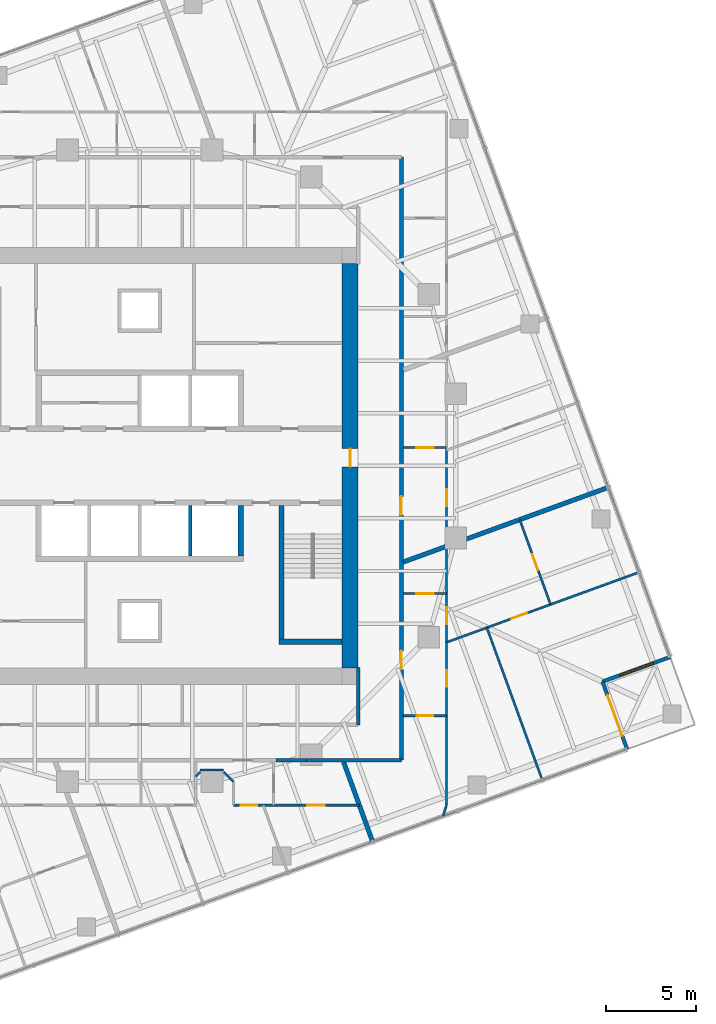
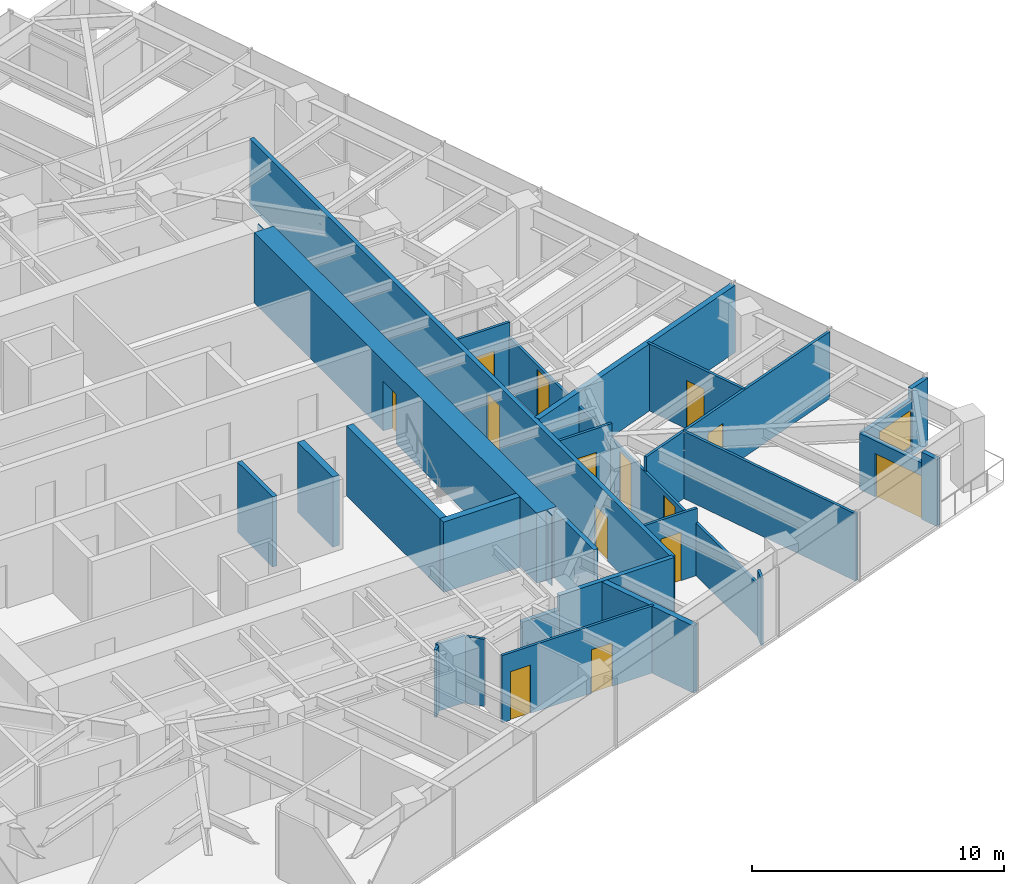
# One storey, part 9 of 13: 27 walls, 14 doors, 1 window, 15 openings.
"""IFC4 building model written with IfcOpenShell, lengths in metres."""

from ifc_helpers import new_model, si_unit, direction, frame, frame_2d, origin, place, context, subcontext, project, spatial, polyline, rectangle, outline, extrude, material, layer, layer_set, type_object, element, fill, save


model = new_model("IFC4")

# Units and contexts
model_context = context("Model", 3, precision=1e-05, world=origin(), true_north=direction((0.0, 1.0)))
body_context = subcontext(model_context, "Body", "Model", "MODEL_VIEW")
ifc_project = project(units=[si_unit("LENGTHUNIT", "METRE"), si_unit("AREAUNIT", "SQUARE_METRE"), si_unit("VOLUMEUNIT", "CUBIC_METRE"), si_unit("PLANEANGLEUNIT", "RADIAN"), si_unit("MASSUNIT", "GRAM", prefix="KILO")], contexts=[model_context])

# Site, building, storey
site_placement = place(None, origin())
site = spatial("IfcSite", under=ifc_project, at=site_placement, CompositionType="ELEMENT")
building_placement = place(site_placement, origin())
building = spatial("IfcBuilding", under=site, at=building_placement, Name="Torsade Residences", CompositionType="ELEMENT")
storey_placement = place(building_placement, frame((0.0, 0.0, 160.800048828125)))
storey = spatial("IfcBuildingStorey", under=building, at=storey_placement, Name="L44", CompositionType="ELEMENT", Elevation=160.800048828125)

# Walls
ifc_material_1 = material(Name="Concrete 80 MPa", Category="concrete")
ifc_layer_1 = layer(ifc_material_1, 0.300048828125)
ifc_layer_set_1 = layer_set([ifc_layer_1], Name="Concrete 80 MPa")
wall_type_1 = type_object("IfcWallType", Name="CORE INTERNAL WALL 300", PredefinedType="SHEAR", material=ifc_layer_set_1)
wall_1_placement = place(storey_placement, frame((45.60009765625, 27.800048828125, 0.0), z_axis=(0.0, 0.0, 1.0), x_axis=(0.0, -1.0, 0.0)))
element("IfcWall", 1, at=wall_1_placement, inside=storey, type_object=wall_type_1, Name="Core wall DS0 L44", PredefinedType="SHEAR", context=body_context, shape_type="SweptSolid", body=[
    extrude(rectangle(XDim=2.800048828125, YDim=0.300048828125, at=frame_2d((1.39990234375, 0.0))), origin(), (0.0, 0.0, 1.0), 3.39990234375),
])
wall_2_placement = place(storey_placement, frame((47.85009765625, 27.800048828125, 0.0), z_axis=(0.0, 0.0, 1.0), x_axis=(0.0, -1.0, 0.0)))
element("IfcWall", 2, at=wall_2_placement, inside=storey, type_object=wall_type_1, Name="Core wall ST2W L44", PredefinedType="SHEAR", context=body_context, shape_type="SweptSolid", body=[
    extrude(rectangle(XDim=7.699951171875, YDim=0.300048828125, at=frame_2d((3.85009765625, 0.0))), origin(), (0.0, 0.0, 1.0), 3.39990234375),
])
wall_3_placement = place(storey_placement, frame((51.199951171875, 20.25, 0.0), z_axis=(0.0, 0.0, 1.0), x_axis=(-1.0, 0.0, 0.0)))
element("IfcWall", 3, at=wall_3_placement, inside=storey, type_object=wall_type_1, Name="Core wall ST2S L44", PredefinedType="SHEAR", context=body_context, shape_type="SweptSolid", body=[
    extrude(rectangle(XDim=3.5, YDim=0.300048828125, at=frame_2d((1.75, 0.0))), origin(), (0.0, 0.0, 1.0), 3.39990234375),
])

# Wall, opening, door
ifc_material_2 = material(Name="Concrete 80 MPa", Category="concrete")
ifc_layer_2 = layer(ifc_material_2, 0.89990234375)
ifc_layer_set_2 = layer_set([ifc_layer_2], Name="Concrete 80 MPa")
wall_type_2 = type_object("IfcWallType", Name="CORE WALL 900", PredefinedType="SHEAR", material=ifc_layer_set_2)
wall_4_placement = place(storey_placement, frame((51.64990234375, 18.800048828125, 0.0), z_axis=(0.0, 0.0, 1.0), x_axis=(0.0, 1.0, 0.0)))
wall_4 = element("IfcWall", 4, at=wall_4_placement, inside=storey, type_object=wall_type_2, Name="Core wall E L44", PredefinedType="SHEAR", context=body_context, shape_type="SweptSolid", body=[
    extrude(outline(polyline([(0.0, -0.449951171875), (22.39990234375, -0.449951171875), (22.39990234375, -0.02490234375), (22.849853515625, -0.02490234375), (22.849853515625, 0.02490234375), (22.39990234375, 0.02490234375), (22.39990234375, 0.449951171875), (0.0, 0.449951171875), (0.0, 0.02490234375), (-0.449951171875, 0.02490234375), (-0.449951171875, -0.02490234375), (0.0, -0.02490234375), (0.0, -0.449951171875)])), origin(), (0.0, 0.0, 1.0), 3.39990234375),
])
opening_1_placement = place(wall_4_placement, frame((11.139892578125, 0.0, 0.0)))
opening_1 = element("IfcOpeningElement", 5, at=opening_1_placement, cuts=wall_4, Name="Opening D04", PredefinedType="OPENING", context=body_context, shape_type="SweptSolid", body=[
    extrude(rectangle(XDim=1.02001953125, YDim=2.39990234375, at=frame_2d((0.510009765625, 1.199951171875))), frame((0.0, 0.4599609375, 0.0), z_axis=(0.0, -1.0, 0.0), x_axis=(1.0, 0.0, 0.0)), (0.0, 0.0, 1.0), 0.919921875),
])
ifc_material_3 = material(Name="Steel-framed fire door", Category="steel")
door_type_1 = type_object("IfcDoorType", Name="LOBBY SMOKE DOOR 1020x2400", OperationType="NOTDEFINED", PredefinedType="DOOR", material=ifc_material_3)
door_1_placement = place(opening_1_placement, origin())
door_1 = element("IfcDoor", 6, at=door_1_placement, inside=storey, type_object=door_type_1, Name="Lift lobby door E L44", OperationType="SINGLE_SWING_LEFT", OverallHeight=2.39990234375, OverallWidth=1.02001953125, PredefinedType="DOOR", context=body_context, shape_type="SweptSolid", body=[
    extrude(rectangle(XDim=1.02001953125, YDim=2.39990234375, at=frame_2d((0.510009765625, 1.199951171875))), frame((0.0, 0.02490234375, 0.0), z_axis=(0.0, -1.0, 0.0), x_axis=(1.0, 0.0, 0.0)), (0.0, 0.0, 1.0), 0.050048828125),
])
fill(opening_1, door_1)

# Walls
ifc_material_4 = material(Name="Plasterboard on steel stud", Category="steel")
ifc_layer_3 = layer(ifc_material_4, 0.199951171875)
ifc_layer_set_3 = layer_set([ifc_layer_3], Name="Plasterboard on steel stud")
wall_type_3 = type_object("IfcWallType", Name="CORRIDOR WALL 200", PredefinedType="PARTITIONING", material=ifc_layer_set_3)
wall_5_placement = place(storey_placement, frame((47.558349609375, 13.699951171875, 0.0), z_axis=(0.0, 0.0, 1.0), x_axis=(1.0, 0.0, 0.0)))
element("IfcWall", 7, at=wall_5_placement, inside=storey, type_object=wall_type_3, Name="Corridor wall L44", PredefinedType="PARTITIONING", context=body_context, shape_type="SweptSolid", body=[
    extrude(rectangle(XDim=1.683349609375, YDim=0.199951171875, at=frame_2d((0.841796875, 0.0))), origin(), (0.0, 0.0, 1.0), 2.550048828125),
])
wall_6_placement = place(storey_placement, frame((49.24169921875, 13.699951171875, 0.0), z_axis=(0.0, 0.0, 1.0), x_axis=(1.0, 0.0, 0.0)))
element("IfcWall", 8, at=wall_6_placement, inside=storey, type_object=wall_type_3, Name="Corridor wall L44", PredefinedType="PARTITIONING", context=body_context, shape_type="SweptSolid", body=[
    extrude(rectangle(XDim=5.25830078125, YDim=0.199951171875, at=frame_2d((2.629150390625, 0.0))), origin(), (0.0, 0.0, 1.0), 3.25),
])

# Wall, openings, doors
wall_7_placement = place(storey_placement, frame((54.5, 13.699951171875, 0.0), z_axis=(0.0, 0.0, 1.0), x_axis=(0.0, 1.0, 0.0)))
wall_7 = element("IfcWall", 9, at=wall_7_placement, inside=storey, type_object=wall_type_3, Name="Corridor wall L44", PredefinedType="PARTITIONING", context=body_context, shape_type="SweptSolid", body=[
    extrude(rectangle(XDim=33.400146484375, YDim=0.199951171875, at=frame_2d((16.7001953125, 0.0))), origin(), (0.0, 0.0, 1.0), 3.25),
])
opening_2_placement = place(wall_7_placement, frame((5.02783203125, 0.0, 0.0)))
opening_2 = element("IfcOpeningElement", 10, at=opening_2_placement, cuts=wall_7, Name="Opening D01L", PredefinedType="OPENING", context=body_context, shape_type="SweptSolid", body=[
    extrude(rectangle(XDim=1.02001953125, YDim=2.10009765625, at=frame_2d((0.510009765625, 1.050048828125))), frame((0.0, 0.10986328125, 0.0), z_axis=(0.0, -1.0, 0.0), x_axis=(1.0, 0.0, 0.0)), (0.0, 0.0, 1.0), 0.219970703125),
])
opening_3_placement = place(wall_7_placement, frame((13.58740234375, 0.0, 0.0)))
opening_3 = element("IfcOpeningElement", 11, at=opening_3_placement, cuts=wall_7, Name="Opening D01", PredefinedType="OPENING", context=body_context, shape_type="SweptSolid", body=[
    extrude(rectangle(XDim=1.02001953125, YDim=2.340087890625, at=frame_2d((0.510009765625, 1.169921875))), frame((0.0, 0.10986328125, 0.0), z_axis=(0.0, -1.0, 0.0), x_axis=(1.0, 0.0, 0.0)), (0.0, 0.0, 1.0), 0.219970703125),
])
ifc_material_5 = material(Name="Solid-core timber fire door", Category="wood")
door_type_2 = type_object("IfcDoorType", Name="APARTMENT ENTRY DOOR 1020x2100", OperationType="NOTDEFINED", PredefinedType="DOOR", material=ifc_material_5)
door_2_placement = place(opening_2_placement, origin())
door_2 = element("IfcDoor", 12, at=door_2_placement, inside=storey, type_object=door_type_2, Name="Door Residential corridor to Kitchen and dining", OperationType="SINGLE_SWING_LEFT", OverallHeight=2.10009765625, OverallWidth=1.02001953125, PredefinedType="DOOR", context=body_context, shape_type="SweptSolid", body=[
    extrude(rectangle(XDim=1.02001953125, YDim=2.10009765625, at=frame_2d((0.510009765625, 1.050048828125))), frame((0.0, 0.02490234375, 0.0), z_axis=(0.0, -1.0, 0.0), x_axis=(1.0, 0.0, 0.0)), (0.0, 0.0, 1.0), 0.050048828125),
])
fill(opening_2, door_2)
ifc_material_6 = material(Name="Solid-core timber fire door", Category="wood")
door_type_3 = type_object("IfcDoorType", Name="APARTMENT ENTRY DOOR 1020x2340", OperationType="NOTDEFINED", PredefinedType="DOOR", material=ifc_material_6)
door_3_placement = place(opening_3_placement, origin())
door_3 = element("IfcDoor", 13, at=door_3_placement, inside=storey, type_object=door_type_3, Name="Door Residential corridor to Kitchen and dining", OperationType="SINGLE_SWING_RIGHT", OverallHeight=2.340087890625, OverallWidth=1.02001953125, PredefinedType="DOOR", context=body_context, shape_type="SweptSolid", body=[
    extrude(rectangle(XDim=1.02001953125, YDim=2.340087890625, at=frame_2d((0.510009765625, 1.169921875))), frame((0.0, 0.02490234375, 0.0), z_axis=(0.0, -1.0, 0.0), x_axis=(1.0, 0.0, 0.0)), (0.0, 0.0, 1.0), 0.050048828125),
])
fill(opening_3, door_3)

# Walls
wall_8_placement = place(storey_placement, frame((52.10009765625, 15.64990234375, 0.0), z_axis=(0.0, 0.0, 1.0), x_axis=(0.0, 1.0, 0.0)))
element("IfcWall", 14, at=wall_8_placement, inside=storey, type_object=wall_type_3, Name="Corridor wall L44", PredefinedType="PARTITIONING", context=body_context, shape_type="SweptSolid", body=[
    extrude(rectangle(XDim=3.170166015625, YDim=0.199951171875, at=frame_2d((1.5849609375, 0.0))), origin(), (0.0, 0.0, 1.0), 3.25),
])
ifc_material_7 = material(Name="Reinforced blockwork", Category="masonry")
ifc_layer_4 = layer(ifc_material_7, 0.199951171875)
ifc_layer_set_4 = layer_set([ifc_layer_4], Name="Reinforced blockwork")
wall_type_4 = type_object("IfcWallType", Name="LIFT SHAFT DIVIDING WALL 200", PredefinedType="SOLIDWALL", material=ifc_layer_set_4)
wall_9_placement = place(storey_placement, frame((42.800048828125, 27.800048828125, 0.0), z_axis=(0.0, 0.0, 1.0), x_axis=(0.0, -1.0, 0.0)))
element("IfcWall", 15, at=wall_9_placement, inside=storey, type_object=wall_type_4, Name="Core wall DS1 L44", PredefinedType="SOLIDWALL", context=body_context, shape_type="SweptSolid", body=[
    extrude(rectangle(XDim=2.800048828125, YDim=0.199951171875, at=frame_2d((1.39990234375, 0.0))), origin(), (0.0, 0.0, 1.0), 3.39990234375),
])

# Wall, openings, doors
ifc_material_8 = material(Name="Plasterboard on steel stud", Category="steel")
ifc_layer_5 = layer(ifc_material_8, 0.1201171875)
ifc_layer_set_5 = layer_set([ifc_layer_5], Name="Plasterboard on steel stud")
wall_type_5 = type_object("IfcWallType", Name="PARTITION 120", PredefinedType="PARTITIONING", material=ifc_layer_set_5)
wall_10_placement = place(storey_placement, frame((52.16357421875, 11.199951171875, 0.0), z_axis=(0.0, 0.0, 1.0), x_axis=(-1.0, 0.0, 0.0)))
wall_10 = element("IfcWall", 16, at=wall_10_placement, inside=storey, type_object=wall_type_5, Name="Partition L44", PredefinedType="PARTITIONING", context=body_context, shape_type="SweptSolid", body=[
    extrude(rectangle(XDim=6.963623046875, YDim=0.1201171875, at=frame_2d((3.48193359375, 0.0))), origin(), (0.0, 0.0, 1.0), 3.25),
])
opening_4_placement = place(wall_10_placement, frame((5.655517578125, 0.0, 0.0)))
opening_4 = element("IfcOpeningElement", 17, at=opening_4_placement, cuts=wall_10, Name="Opening D02", PredefinedType="OPENING", context=body_context, shape_type="SweptSolid", body=[
    extrude(rectangle(XDim=0.919921875, YDim=2.340087890625, at=frame_2d((0.4599609375, 1.169921875))), frame((0.0, 0.070068359375, 0.0), z_axis=(0.0, -1.0, 0.0), x_axis=(1.0, 0.0, 0.0)), (0.0, 0.0, 1.0), 0.14013671875),
])
opening_5_placement = place(wall_10_placement, frame((1.918701171875, 0.0, 0.0)))
opening_5 = element("IfcOpeningElement", 18, at=opening_5_placement, cuts=wall_10, Name="Opening D05", PredefinedType="OPENING", context=body_context, shape_type="SweptSolid", body=[
    extrude(rectangle(XDim=0.9599609375, YDim=2.10009765625, at=frame_2d((0.47998046875, 1.050048828125))), frame((0.0, 0.070068359375, 0.0), z_axis=(0.0, -1.0, 0.0), x_axis=(1.0, 0.0, 0.0)), (0.0, 0.0, 1.0), 0.14013671875),
])
ifc_material_9 = material(Name="Hollow-core timber door in a steel cavity frame", Category="steel")
door_type_4 = type_object("IfcDoorType", Name="BATHROOM CAVITY SLIDING DOOR 960", OperationType="SLIDING_TO_LEFT", PredefinedType="DOOR", material=ifc_material_9)
door_4_placement = place(opening_5_placement, origin())
door_4 = element("IfcDoor", 19, at=door_4_placement, inside=storey, type_object=door_type_4, Name="Door WC to Bedroom 2", OperationType="SLIDING_TO_LEFT", OverallHeight=2.10009765625, OverallWidth=0.9599609375, PredefinedType="DOOR", context=body_context, shape_type="SweptSolid", body=[
    extrude(rectangle(XDim=0.9599609375, YDim=2.10009765625, at=frame_2d((0.47998046875, 1.050048828125))), frame((0.0, 0.02490234375, 0.0), z_axis=(0.0, -1.0, 0.0), x_axis=(1.0, 0.0, 0.0)), (0.0, 0.0, 1.0), 0.050048828125),
])
fill(opening_5, door_4)
ifc_material_10 = material(Name="Hollow-core timber door", Category="wood")
door_type_5 = type_object("IfcDoorType", Name="INTERNAL DOOR 920x2340", OperationType="NOTDEFINED", PredefinedType="DOOR", material=ifc_material_10)
door_5_placement = place(opening_4_placement, origin())
door_5 = element("IfcDoor", 20, at=door_5_placement, inside=storey, type_object=door_type_5, Name="Door Kitchen and dining to Bedroom 1", OperationType="SINGLE_SWING_LEFT", OverallHeight=2.340087890625, OverallWidth=0.919921875, PredefinedType="DOOR", context=body_context, shape_type="SweptSolid", body=[
    extrude(rectangle(XDim=0.919921875, YDim=2.340087890625, at=frame_2d((0.4599609375, 1.169921875))), frame((0.0, 0.02490234375, 0.0), z_axis=(0.0, -1.0, 0.0), x_axis=(1.0, 0.0, 0.0)), (0.0, 0.0, 1.0), 0.050048828125),
])
fill(opening_4, door_5)

# Walls
wall_11_placement = place(storey_placement, frame((45.199951171875, 12.5, 0.0), z_axis=(0.0, 0.0, 1.0), x_axis=(-0.707106781187, 0.707106781187, 0.0)))
element("IfcWall", 21, at=wall_11_placement, inside=storey, type_object=wall_type_5, Name="Partition L44", PredefinedType="PARTITIONING", context=body_context, shape_type="SweptSolid", body=[
    extrude(rectangle(XDim=0.77783203125, YDim=0.1201171875, at=frame_2d((0.388916015625, 0.0))), origin(), (0.0, 0.0, 1.0), 3.25),
])
wall_12_placement = place(storey_placement, frame((44.64990234375, 13.14990234375, 0.0), z_axis=(0.0, 0.0, 1.0), x_axis=(-1.0, 0.0, 0.0)))
element("IfcWall", 22, at=wall_12_placement, inside=storey, type_object=wall_type_5, Name="Partition L44", PredefinedType="PARTITIONING", context=body_context, shape_type="SweptSolid", body=[
    extrude(rectangle(XDim=1.2998046875, YDim=0.1201171875, at=frame_2d((0.64990234375, 0.0))), origin(), (0.0, 0.0, 1.0), 3.25),
])
wall_13_placement = place(storey_placement, frame((43.35009765625, 13.050048828125, 0.0), z_axis=(0.0, 0.0, 1.0), x_axis=(-0.707106781187, -0.707106781187, 0.0)))
element("IfcWall", 23, at=wall_13_placement, inside=storey, type_object=wall_type_5, Name="Partition L44", PredefinedType="PARTITIONING", context=body_context, shape_type="SweptSolid", body=[
    extrude(rectangle(XDim=0.356689453125, YDim=0.1201171875, at=frame_2d((0.17822265625, 0.0))), origin(), (0.0, 0.0, 1.0), 3.25),
])

# Wall, opening, door
wall_14_placement = place(storey_placement, frame((57.0, 16.15478515625, 0.0), z_axis=(0.0, 0.0, 1.0), x_axis=(-1.0, 0.0, 0.0)))
wall_14 = element("IfcWall", 24, at=wall_14_placement, inside=storey, type_object=wall_type_5, Name="Partition L44", PredefinedType="PARTITIONING", context=body_context, shape_type="SweptSolid", body=[
    extrude(rectangle(XDim=2.39990234375, YDim=0.1201171875, at=frame_2d((1.199951171875, 0.0))), origin(), (0.0, 0.0, 1.0), 3.25),
])
opening_6_placement = place(wall_14_placement, frame((0.739990234375, 0.0, 0.0)))
opening_6 = element("IfcOpeningElement", 25, at=opening_6_placement, cuts=wall_14, Name="Opening D02", PredefinedType="OPENING", context=body_context, shape_type="SweptSolid", body=[
    extrude(rectangle(XDim=0.919921875, YDim=2.340087890625, at=frame_2d((0.4599609375, 1.169921875))), frame((0.0, 0.070068359375, 0.0), z_axis=(0.0, -1.0, 0.0), x_axis=(1.0, 0.0, 0.0)), (0.0, 0.0, 1.0), 0.14013671875),
])
door_6_placement = place(opening_6_placement, origin())
door_6 = element("IfcDoor", 26, at=door_6_placement, inside=storey, type_object=door_type_5, Name="Door Kitchen and dining to Scullery", OperationType="SINGLE_SWING_LEFT", OverallHeight=2.340087890625, OverallWidth=0.919921875, PredefinedType="DOOR", context=body_context, shape_type="SweptSolid", body=[
    extrude(rectangle(XDim=0.919921875, YDim=2.340087890625, at=frame_2d((0.4599609375, 1.169921875))), frame((0.0, 0.02490234375, 0.0), z_axis=(0.0, -1.0, 0.0), x_axis=(1.0, 0.0, 0.0)), (0.0, 0.0, 1.0), 0.050048828125),
])
fill(opening_6, door_6)

wall_15_placement = place(storey_placement, frame((54.60009765625, 22.920654296875, 0.0), z_axis=(0.0, 0.0, 1.0), x_axis=(1.0, 0.0, 0.0)))
wall_15 = element("IfcWall", 27, at=wall_15_placement, inside=storey, type_object=wall_type_5, Name="Partition L44", PredefinedType="PARTITIONING", context=body_context, shape_type="SweptSolid", body=[
    extrude(rectangle(XDim=2.39990234375, YDim=0.1201171875, at=frame_2d((1.199951171875, 0.0))), origin(), (0.0, 0.0, 1.0), 3.25),
])
opening_7_placement = place(wall_15_placement, frame((0.719970703125, 0.0, 0.0)))
opening_7 = element("IfcOpeningElement", 28, at=opening_7_placement, cuts=wall_15, Name="Opening D05", PredefinedType="OPENING", context=body_context, shape_type="SweptSolid", body=[
    extrude(rectangle(XDim=0.9599609375, YDim=2.10009765625, at=frame_2d((0.47998046875, 1.050048828125))), frame((0.0, 0.070068359375, 0.0), z_axis=(0.0, -1.0, 0.0), x_axis=(1.0, 0.0, 0.0)), (0.0, 0.0, 1.0), 0.14013671875),
])
door_7_placement = place(opening_7_placement, origin())
door_7 = element("IfcDoor", 29, at=door_7_placement, inside=storey, type_object=door_type_4, Name="Door Kitchen and dining to Bathroom", OperationType="SLIDING_TO_LEFT", OverallHeight=2.10009765625, OverallWidth=0.9599609375, PredefinedType="DOOR", context=body_context, shape_type="SweptSolid", body=[
    extrude(rectangle(XDim=0.9599609375, YDim=2.10009765625, at=frame_2d((0.47998046875, 1.050048828125))), frame((0.0, 0.02490234375, 0.0), z_axis=(0.0, -1.0, 0.0), x_axis=(1.0, 0.0, 0.0)), (0.0, 0.0, 1.0), 0.050048828125),
])
fill(opening_7, door_7)

# Wall, openings, doors
wall_16_placement = place(storey_placement, frame((57.0, 30.919677734375, 0.0), z_axis=(0.0, 0.0, 1.0), x_axis=(0.0, -1.0, 0.0)))
wall_16 = element("IfcWall", 30, at=wall_16_placement, inside=storey, type_object=wall_type_5, Name="Partition L44", PredefinedType="PARTITIONING", context=body_context, shape_type="SweptSolid", body=[
    extrude(rectangle(XDim=19.7197265625, YDim=0.1201171875, at=frame_2d((9.85986328125, 0.0))), origin(), (0.0, 0.0, 1.0), 2.550048828125),
])
opening_8_placement = place(wall_16_placement, frame((12.243408203125, 0.0, 0.0)))
opening_8 = element("IfcOpeningElement", 31, at=opening_8_placement, cuts=wall_16, Name="Opening D02", PredefinedType="OPENING", context=body_context, shape_type="SweptSolid", body=[
    extrude(rectangle(XDim=0.919921875, YDim=2.340087890625, at=frame_2d((0.4599609375, 1.169921875))), frame((0.0, 0.070068359375, 0.0), z_axis=(0.0, -1.0, 0.0), x_axis=(1.0, 0.0, 0.0)), (0.0, 0.0, 1.0), 0.14013671875),
])
opening_9_placement = place(wall_16_placement, frame((8.763671875, 0.0, 0.0)))
opening_9 = element("IfcOpeningElement", 32, at=opening_9_placement, cuts=wall_16, Name="Opening D02", PredefinedType="OPENING", context=body_context, shape_type="SweptSolid", body=[
    extrude(rectangle(XDim=0.919921875, YDim=2.340087890625, at=frame_2d((0.4599609375, 1.169921875))), frame((0.0, 0.070068359375, 0.0), z_axis=(0.0, -1.0, 0.0), x_axis=(1.0, 0.0, 0.0)), (0.0, 0.0, 1.0), 0.14013671875),
])
opening_10_placement = place(wall_16_placement, frame((2.22705078125, 0.0, 0.0)))
opening_10 = element("IfcOpeningElement", 33, at=opening_10_placement, cuts=wall_16, Name="Opening D02", PredefinedType="OPENING", context=body_context, shape_type="SweptSolid", body=[
    extrude(rectangle(XDim=0.919921875, YDim=2.340087890625, at=frame_2d((0.4599609375, 1.169921875))), frame((0.0, 0.070068359375, 0.0), z_axis=(0.0, -1.0, 0.0), x_axis=(1.0, 0.0, 0.0)), (0.0, 0.0, 1.0), 0.14013671875),
])
door_8_placement = place(opening_8_placement, origin())
door_8 = element("IfcDoor", 34, at=door_8_placement, inside=storey, type_object=door_type_5, Name="Door Kitchen and dining to Bedroom 1", OperationType="SINGLE_SWING_LEFT", OverallHeight=2.340087890625, OverallWidth=0.919921875, PredefinedType="DOOR", context=body_context, shape_type="SweptSolid", body=[
    extrude(rectangle(XDim=0.919921875, YDim=2.340087890625, at=frame_2d((0.4599609375, 1.169921875))), frame((0.0, 0.02490234375, 0.0), z_axis=(0.0, -1.0, 0.0), x_axis=(1.0, 0.0, 0.0)), (0.0, 0.0, 1.0), 0.050048828125),
])
fill(opening_8, door_8)
door_9_placement = place(opening_9_placement, origin())
door_9 = element("IfcDoor", 35, at=door_9_placement, inside=storey, type_object=door_type_5, Name="Door Kitchen and dining to Walk-in robe", OperationType="SINGLE_SWING_RIGHT", OverallHeight=2.340087890625, OverallWidth=0.919921875, PredefinedType="DOOR", context=body_context, shape_type="SweptSolid", body=[
    extrude(rectangle(XDim=0.919921875, YDim=2.340087890625, at=frame_2d((0.4599609375, 1.169921875))), frame((0.0, 0.02490234375, 0.0), z_axis=(0.0, -1.0, 0.0), x_axis=(1.0, 0.0, 0.0)), (0.0, 0.0, 1.0), 0.050048828125),
])
fill(opening_9, door_9)
door_10_placement = place(opening_10_placement, origin())
door_10 = element("IfcDoor", 36, at=door_10_placement, inside=storey, type_object=door_type_5, Name="Door Kitchen and dining to Living room", OperationType="SINGLE_SWING_RIGHT", OverallHeight=2.340087890625, OverallWidth=0.919921875, PredefinedType="DOOR", context=body_context, shape_type="SweptSolid", body=[
    extrude(rectangle(XDim=0.919921875, YDim=2.340087890625, at=frame_2d((0.4599609375, 1.169921875))), frame((0.0, 0.02490234375, 0.0), z_axis=(0.0, -1.0, 0.0), x_axis=(1.0, 0.0, 0.0)), (0.0, 0.0, 1.0), 0.050048828125),
])
fill(opening_10, door_10)

# Walls
wall_17_placement = place(storey_placement, frame((56.986572265625, 11.199951171875, 0.0), z_axis=(0.0, 0.0, 1.0), x_axis=(-0.290455219909, -0.956888585588, 0.0)))
element("IfcWall", 37, at=wall_17_placement, inside=storey, type_object=wall_type_5, Name="Partition L44", PredefinedType="PARTITIONING", context=body_context, shape_type="SweptSolid", body=[
    extrude(rectangle(XDim=0.605224609375, YDim=0.1201171875, at=frame_2d((0.302734375, 0.0))), origin(), (0.0, 0.0, 1.0), 3.25),
])
wall_18_placement = place(storey_placement, frame((62.290283203125, 12.615234375, 0.0), z_axis=(0.0, 0.0, 1.0), x_axis=(-0.342038393654, 0.939685978009, 0.0)))
element("IfcWall", 38, at=wall_18_placement, inside=storey, type_object=wall_type_5, Name="Partition L44", PredefinedType="PARTITIONING", context=body_context, shape_type="SweptSolid", body=[
    extrude(rectangle(XDim=8.960205078125, YDim=0.1201171875, at=frame_2d((4.47998046875, 0.0))), origin(), (0.0, 0.0, 1.0), 3.25),
])

# Wall, opening, door
wall_19_placement = place(storey_placement, frame((57.0, 20.224853515625, 0.0), z_axis=(0.0, 0.0, 1.0), x_axis=(0.939693965364, 0.342016449105, 0.0)))
wall_19 = element("IfcWall", 39, at=wall_19_placement, inside=storey, type_object=wall_type_5, Name="Partition L44", PredefinedType="PARTITIONING", context=body_context, shape_type="SweptSolid", body=[
    extrude(rectangle(XDim=11.328369140625, YDim=0.1201171875, at=frame_2d((5.6640625, 0.0))), origin(), (0.0, 0.0, 1.0), 3.25),
])
opening_11_placement = place(wall_19_placement, frame((3.812255859375, 0.0, 0.0)))
opening_11 = element("IfcOpeningElement", 40, at=opening_11_placement, cuts=wall_19, Name="Opening D02", PredefinedType="OPENING", context=body_context, shape_type="SweptSolid", body=[
    extrude(rectangle(XDim=0.919921875, YDim=2.340087890625, at=frame_2d((0.4599609375, 1.169921875))), frame((0.0, 0.070068359375, 0.0), z_axis=(0.0, -1.0, 0.0), x_axis=(1.0, 0.0, 0.0)), (0.0, 0.0, 1.0), 0.14013671875),
])
door_11_placement = place(opening_11_placement, origin())
door_11 = element("IfcDoor", 41, at=door_11_placement, inside=storey, type_object=door_type_5, Name="Door Walk-in robe to Living room", OperationType="SINGLE_SWING_RIGHT", OverallHeight=2.340087890625, OverallWidth=0.919921875, PredefinedType="DOOR", context=body_context, shape_type="SweptSolid", body=[
    extrude(rectangle(XDim=0.919921875, YDim=2.340087890625, at=frame_2d((0.4599609375, 1.169921875))), frame((0.0, 0.02490234375, 0.0), z_axis=(0.0, -1.0, 0.0), x_axis=(1.0, 0.0, 0.0)), (0.0, 0.0, 1.0), 0.050048828125),
])
fill(opening_11, door_11)

wall_20_placement = place(storey_placement, frame((62.756591796875, 22.320068359375, 0.0), z_axis=(0.0, 0.0, 1.0), x_axis=(-0.341993964619, 0.939702148643, 0.0)))
wall_20 = element("IfcWall", 42, at=wall_20_placement, inside=storey, type_object=wall_type_5, Name="Partition L44", PredefinedType="PARTITIONING", context=body_context, shape_type="SweptSolid", body=[
    extrude(rectangle(XDim=5.0, YDim=0.1201171875, at=frame_2d((2.5, 0.0))), origin(), (0.0, 0.0, 1.0), 3.25),
])
opening_12_placement = place(wall_20_placement, frame((2.0400390625, 0.0, 0.0)))
opening_12 = element("IfcOpeningElement", 43, at=opening_12_placement, cuts=wall_20, Name="Opening D02", PredefinedType="OPENING", context=body_context, shape_type="SweptSolid", body=[
    extrude(rectangle(XDim=0.919921875, YDim=2.340087890625, at=frame_2d((0.4599609375, 1.169921875))), frame((0.0, 0.070068359375, 0.0), z_axis=(0.0, -1.0, 0.0), x_axis=(1.0, 0.0, 0.0)), (0.0, 0.0, 1.0), 0.14013671875),
])
door_12_placement = place(opening_12_placement, origin())
door_12 = element("IfcDoor", 44, at=door_12_placement, inside=storey, type_object=door_type_5, Name="Door Walk-in robe to Bedroom 2", OperationType="SINGLE_SWING_RIGHT", OverallHeight=2.340087890625, OverallWidth=0.919921875, PredefinedType="DOOR", context=body_context, shape_type="SweptSolid", body=[
    extrude(rectangle(XDim=0.919921875, YDim=2.340087890625, at=frame_2d((0.4599609375, 1.169921875))), frame((0.0, 0.02490234375, 0.0), z_axis=(0.0, -1.0, 0.0), x_axis=(1.0, 0.0, 0.0)), (0.0, 0.0, 1.0), 0.050048828125),
])
fill(opening_12, door_12)

wall_21_placement = place(storey_placement, frame((54.60009765625, 31.011474609375, 0.0), z_axis=(0.0, 0.0, 1.0), x_axis=(1.0, 0.0, 0.0)))
wall_21 = element("IfcWall", 45, at=wall_21_placement, inside=storey, type_object=wall_type_5, Name="Partition L44", PredefinedType="PARTITIONING", context=body_context, shape_type="SweptSolid", body=[
    extrude(rectangle(XDim=2.39990234375, YDim=0.1201171875, at=frame_2d((1.199951171875, 0.0))), origin(), (0.0, 0.0, 1.0), 3.25),
])
opening_13_placement = place(wall_21_placement, frame((0.719970703125, 0.0, 0.0)))
opening_13 = element("IfcOpeningElement", 46, at=opening_13_placement, cuts=wall_21, Name="Opening D05", PredefinedType="OPENING", context=body_context, shape_type="SweptSolid", body=[
    extrude(rectangle(XDim=0.9599609375, YDim=2.10009765625, at=frame_2d((0.47998046875, 1.050048828125))), frame((0.0, 0.070068359375, 0.0), z_axis=(0.0, -1.0, 0.0), x_axis=(1.0, 0.0, 0.0)), (0.0, 0.0, 1.0), 0.14013671875),
])
door_13_placement = place(opening_13_placement, origin())
door_13 = element("IfcDoor", 47, at=door_13_placement, inside=storey, type_object=door_type_4, Name="Door Kitchen and dining to Bathroom", OperationType="SLIDING_TO_LEFT", OverallHeight=2.10009765625, OverallWidth=0.9599609375, PredefinedType="DOOR", context=body_context, shape_type="SweptSolid", body=[
    extrude(rectangle(XDim=0.9599609375, YDim=2.10009765625, at=frame_2d((0.47998046875, 1.050048828125))), frame((0.0, 0.02490234375, 0.0), z_axis=(0.0, -1.0, 0.0), x_axis=(1.0, 0.0, 0.0)), (0.0, 0.0, 1.0), 0.050048828125),
])
fill(opening_13, door_13)

# Walls
ifc_material_11 = material(Name="Masonry-lined stud party wall", Category="masonry")
ifc_layer_6 = layer(ifc_material_11, 0.25)
ifc_layer_set_6 = layer_set([ifc_layer_6], Name="Masonry-lined stud party wall")
wall_type_6 = type_object("IfcWallType", Name="PARTY WALL 250", PredefinedType="PARTITIONING", material=ifc_layer_set_6)
wall_22_placement = place(storey_placement, frame((52.906982421875, 9.157470703125, 0.0), z_axis=(0.0, 0.0, 1.0), x_axis=(-0.342012883883, 0.939695262975, 0.0)))
element("IfcWall", 48, at=wall_22_placement, inside=storey, type_object=wall_type_6, Name="Party wall L44", PredefinedType="PARTITIONING", context=body_context, shape_type="SweptSolid", body=[
    extrude(rectangle(XDim=4.721923828125, YDim=0.25, at=frame_2d((2.36083984375, 0.0))), origin(), (0.0, 0.0, 1.0), 3.25),
])
wall_23_placement = place(storey_placement, frame((65.972900390625, 28.8115234375, 0.0), z_axis=(0.0, 0.0, 1.0), x_axis=(-0.939693801585, -0.342016899091, 0.0)))
element("IfcWall", 49, at=wall_23_placement, inside=storey, type_object=wall_type_6, Name="Party wall L44", PredefinedType="PARTITIONING", context=body_context, shape_type="SweptSolid", body=[
    extrude(rectangle(XDim=12.09716796875, YDim=0.25, at=frame_2d((6.048583984375, 0.0))), origin(), (0.0, 0.0, 1.0), 3.25),
])
ifc_material_12 = material(Name="Stone-faced precast concrete 40 MPa panel", Category="masonry")
ifc_layer_7 = layer(ifc_material_12, 0.199951171875)
ifc_layer_set_7 = layer_set([ifc_layer_7], Name="Stone-faced precast concrete 40 MPa panel")
wall_type_7 = type_object("IfcWallType", Name="TERRACE WALL 200", PredefinedType="SOLIDWALL", material=ifc_layer_set_7)
wall_24_placement = place(storey_placement, frame((67.00244140625, 14.287841796875, 0.0), z_axis=(0.0, 0.0, 1.0), x_axis=(-0.342110593602, 0.939659694648, 0.0)))
element("IfcWall", 50, at=wall_24_placement, inside=storey, type_object=wall_type_7, Name="Terrace wall L44 2", PredefinedType="SOLIDWALL", context=body_context, shape_type="SweptSolid", body=[
    extrude(rectangle(XDim=0.800048828125, YDim=0.199951171875, at=frame_2d((0.39990234375, 0.0))), origin(), (0.0, 0.0, 1.0), 3.25),
])

# Wall, opening, door
wall_25_placement = place(storey_placement, frame((66.728759765625, 15.03955078125, 0.0), z_axis=(0.0, 0.0, 1.0), x_axis=(-0.342018703306, 0.939693144909, 0.0)))
wall_25 = element("IfcWall", 51, at=wall_25_placement, inside=storey, type_object=wall_type_7, Name="Terrace wall L44 2", PredefinedType="SOLIDWALL", context=body_context, shape_type="SweptSolid", body=[
    extrude(rectangle(XDim=3.199951171875, YDim=0.199951171875, at=frame_2d((1.60009765625, 0.0))), origin(), (0.0, 0.0, 1.0), 2.721923828125),
])
opening_14_placement = place(wall_25_placement, origin())
opening_14 = element("IfcOpeningElement", 52, at=opening_14_placement, cuts=wall_25, Name="Opening D10A", PredefinedType="OPENING", context=body_context, shape_type="SweptSolid", body=[
    extrude(rectangle(XDim=2.39990234375, YDim=2.10009765625, at=frame_2d((1.199951171875, 1.050048828125))), frame((0.0, 0.10986328125, 0.0), z_axis=(0.0, -1.0, 0.0), x_axis=(1.0, 0.0, 0.0)), (0.0, 0.0, 1.0), 0.219970703125),
])
ifc_material_13 = material(Name="Aluminium-framed glass door", Category="aluminium")
door_type_6 = type_object("IfcDoorType", Name="TERRACE SLIDING DOOR 2400x2100", OperationType="SLIDING_TO_LEFT", PredefinedType="DOOR", material=ifc_material_13)
door_14_placement = place(opening_14_placement, origin())
door_14 = element("IfcDoor", 53, at=door_14_placement, inside=storey, type_object=door_type_6, Name="Terrace door L44 2", OperationType="SLIDING_TO_LEFT", OverallHeight=2.10009765625, OverallWidth=2.39990234375, PredefinedType="DOOR", context=body_context, shape_type="SweptSolid", body=[
    extrude(rectangle(XDim=2.39990234375, YDim=2.10009765625, at=frame_2d((1.199951171875, 1.050048828125))), frame((0.0, 0.02490234375, 0.0), z_axis=(0.0, -1.0, 0.0), x_axis=(1.0, 0.0, 0.0)), (0.0, 0.0, 1.0), 0.050048828125),
])
fill(opening_14, door_14)

# Wall, opening, window
wall_26_placement = place(storey_placement, frame((65.63427734375, 18.046630859375, 0.0), z_axis=(0.0, 0.0, 1.0), x_axis=(0.939712609717, 0.341965219194, 0.0)))
wall_26 = element("IfcWall", 54, at=wall_26_placement, inside=storey, type_object=wall_type_7, Name="Terrace wall L44 3", PredefinedType="SOLIDWALL", context=body_context, shape_type="SweptSolid", body=[
    extrude(rectangle(XDim=3.0, YDim=0.199951171875, at=frame_2d((1.5, 0.0))), origin(), (0.0, 0.0, 1.0), 2.721923828125),
])
opening_15_placement = place(wall_26_placement, frame((1.0, 0.0, 0.449951171875)))
opening_15 = element("IfcOpeningElement", 55, at=opening_15_placement, cuts=wall_26, Name="Opening W1B", PredefinedType="OPENING", context=body_context, shape_type="SweptSolid", body=[
    extrude(rectangle(XDim=2.0, YDim=1.800048828125, at=frame_2d((1.0, 0.89990234375))), frame((0.0, 0.10986328125, 0.0), z_axis=(0.0, -1.0, 0.0), x_axis=(1.0, 0.0, 0.0)), (0.0, 0.0, 1.0), 0.219970703125),
])
ifc_material_14 = material(Name="Aluminium-framed glass window", Category="aluminium")
window_type = type_object("IfcWindowType", Name="TERRACE WINDOW 2000x1800", PartitioningType="SINGLE_PANEL", PredefinedType="WINDOW", material=ifc_material_14)
window_placement = place(opening_15_placement, origin())
window = element("IfcWindow", 56, at=window_placement, inside=storey, type_object=window_type, Name="Terrace window L44 3", OverallHeight=1.800048828125, OverallWidth=2.0, PartitioningType="SINGLE_PANEL", PredefinedType="WINDOW", context=body_context, shape_type="SweptSolid", body=[
    extrude(rectangle(XDim=2.0, YDim=1.800048828125, at=frame_2d((1.0, 0.89990234375))), frame((0.0, 0.030029296875, 0.0), z_axis=(0.0, -1.0, 0.0), x_axis=(1.0, 0.0, 0.0)), (0.0, 0.0, 1.0), 0.06005859375),
])
fill(opening_15, window)

# Wall
wall_27_placement = place(storey_placement, frame((68.453369140625, 19.072509765625, 0.0), z_axis=(0.0, 0.0, 1.0), x_axis=(0.939686455819, 0.342037080957, 0.0)))
element("IfcWall", 57, at=wall_27_placement, inside=storey, type_object=wall_type_7, Name="Terrace wall L44 3", PredefinedType="SOLIDWALL", context=body_context, shape_type="SweptSolid", body=[
    extrude(rectangle(XDim=1.0, YDim=0.199951171875, at=frame_2d((0.5, 0.0))), origin(), (0.0, 0.0, 1.0), 3.25),
])

save(model, "model.ifc")
